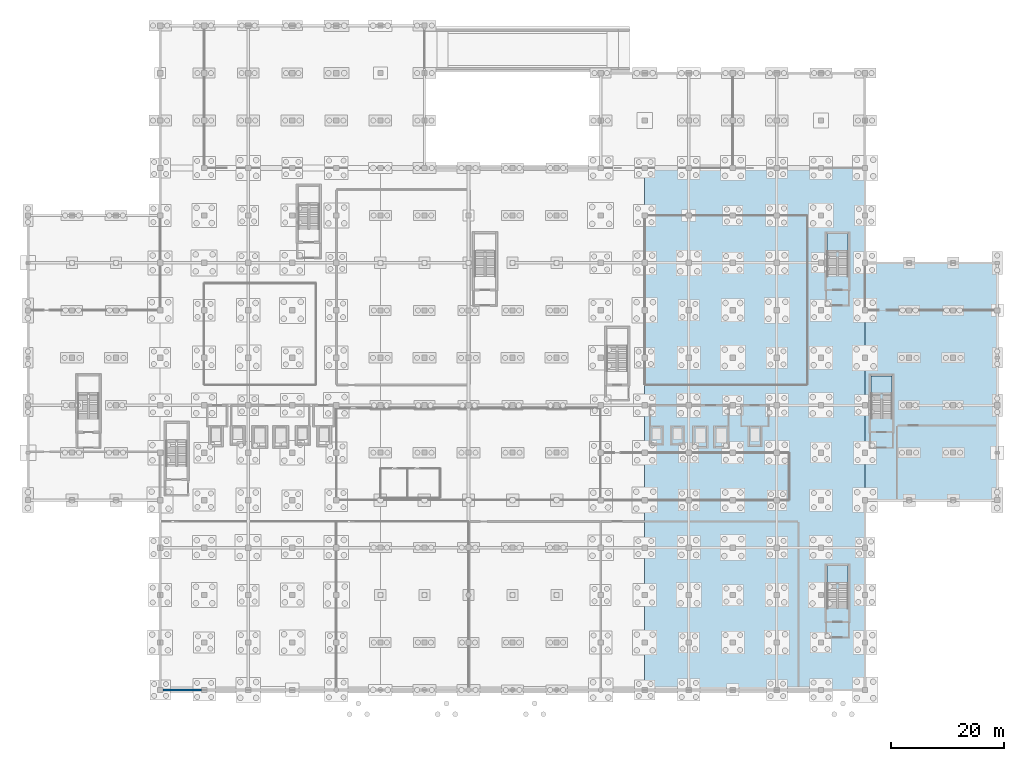
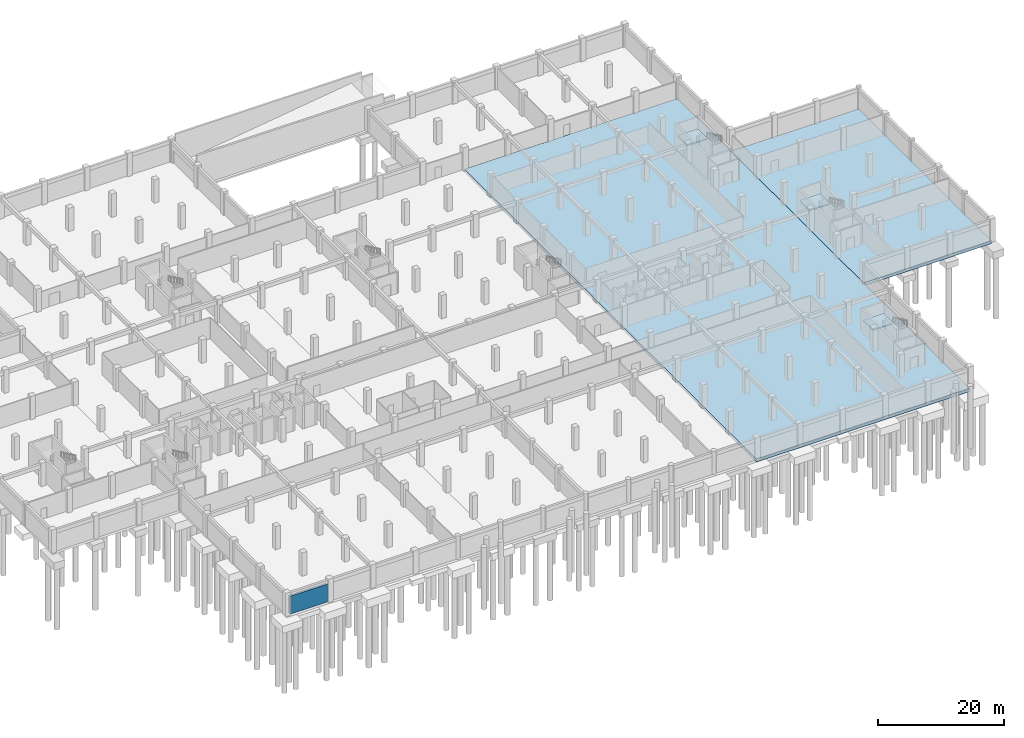
# One storey, part 12 of 30: 5 slabs, 1 wall, 3 elements without a shape of their own.
"""IFC4 building model written with IfcOpenShell, lengths in metres."""

import ifcopenshell
import ifcopenshell.guid

model = None  # the IFC model being written
_history = None  # IfcOwnerHistory: only IFC2X3 demands one
_inside = {}  # id of a spatial element -> (the spatial element, [elements in it])
_under = {}  # id of a project, library or spatial element -> (it, [spatial elements below it])
_declared = {}  # id of a project -> (the project, [libraries it declares])
_typed = {}  # id of a type object -> (the type object, [elements of that type])
_made_of = {}  # id of a material, layer set ... -> (it, [elements and type objects made of it])


def new_model(schema):
    """Start an empty IFC model of exactly this schema.

    Asked for "IFC4X3", IfcOpenShell would pick the latest addendum, in which some entities
    have other attributes; the version numbers below select the first issue.
    IFC2X3 requires an IfcOwnerHistory on every rooted entity: one is made here for all.
    """
    global model, _history
    if schema == "IFC4X3":
        model = ifcopenshell.file(schema_version=(4, 3, 0, 0))
    else:
        model = ifcopenshell.file(schema=schema)
    _inside.clear()
    _under.clear()
    _declared.clear()
    _typed.clear()
    _made_of.clear()
    _history = None
    if model.schema == "IFC2X3":
        org = make("IfcOrganization", Name="unknown")
        user = make(
            "IfcPersonAndOrganization",
            ThePerson=make("IfcPerson", FamilyName="unknown"),
            TheOrganization=org,
        )
        app = make(
            "IfcApplication",
            ApplicationDeveloper=org,
            Version="unknown",
            ApplicationFullName="unknown",
            ApplicationIdentifier="unknown",
        )
        _history = make(
            "IfcOwnerHistory",
            OwningUser=user,
            OwningApplication=app,
            ChangeAction="ADDED",
            CreationDate=0,
        )
    return model


def make(cls, **values):
    """One entity of the class cls with the attributes given. An attribute that is None is left unset."""
    return model.create_entity(
        cls, **{name: value for name, value in values.items() if value is not None}
    )


def rooted(cls, **values):
    """An entity with a GlobalId (a new one), such as an element, a storey or a relation."""
    return make(cls, GlobalId=ifcopenshell.guid.new(), OwnerHistory=_history, **values)


def si_unit(unit_type, name, prefix=None):
    """IfcSIUnit, for example si_unit("LENGTHUNIT", "METRE", prefix="MILLI")."""
    return make("IfcSIUnit", UnitType=unit_type, Prefix=prefix, Name=name)


def assignment(units):
    """IfcUnitAssignment: the units of a project."""
    return None if units is None else make("IfcUnitAssignment", Units=units)


def point(xyz):
    """IfcCartesianPoint."""
    return None if xyz is None else make("IfcCartesianPoint", Coordinates=xyz)


def direction(xyz):
    """IfcDirection."""
    return None if xyz is None else make("IfcDirection", DirectionRatios=xyz)


def frame(location, z_axis=None, x_axis=None):
    """IfcAxis2Placement3D, a coordinate frame: its origin and axes. An axis left out is left unset."""
    return make(
        "IfcAxis2Placement3D",
        Location=point(location),
        Axis=direction(z_axis),
        RefDirection=direction(x_axis),
    )


def frame_2d(location, x_axis=None):
    """IfcAxis2Placement2D, a coordinate frame in the plane: its origin and x axis."""
    return make(
        "IfcAxis2Placement2D", Location=point(location), RefDirection=direction(x_axis)
    )


def origin():
    """The frame at (0, 0, 0) with its axes left unset."""
    return frame((0.0, 0.0, 0.0))


def place(relative_to, where):
    """IfcLocalPlacement: puts the frame where relative to a parent placement (None: the world)."""
    return make(
        "IfcLocalPlacement", PlacementRelTo=relative_to, RelativePlacement=where
    )


def context(
    kind, dimensions, precision=None, world=None, true_north=None, identifier=None
):
    """IfcGeometricRepresentationContext, for example the 3D "Model" context."""
    return make(
        "IfcGeometricRepresentationContext",
        ContextIdentifier=identifier,
        ContextType=kind,
        CoordinateSpaceDimension=dimensions,
        Precision=precision,
        WorldCoordinateSystem=world,
        TrueNorth=true_north,
    )


def subcontext(parent, identifier, kind, view, scale=None):
    """IfcGeometricRepresentationSubContext, for example "Body" below "Model"."""
    return make(
        "IfcGeometricRepresentationSubContext",
        ContextIdentifier=identifier,
        ContextType=kind,
        ParentContext=parent,
        TargetScale=scale,
        TargetView=view,
    )


def project(units=None, contexts=None):
    """IfcProject with its units and contexts."""
    return rooted(
        "IfcProject",
        Name="project",
        RepresentationContexts=contexts,
        UnitsInContext=assignment(units),
    )


def spatial(cls, under=None, at=None, **own):
    """A site, building, storey or space (cls), placed at a placement, below another one or the project."""
    s = rooted(cls, ObjectPlacement=at, **own)
    if under is not None:
        _under.setdefault(under.id(), (under, []))[1].append(s)
    return s


def polyline(points):
    """IfcPolyline through the points."""
    return make("IfcPolyline", Points=[point(p) for p in points])


def profile(cls, at=None, kind="AREA", **sizes):
    """A parametric profile (cls). Its sizes go by their IFC names, for example OverallWidth=200.0."""
    return make(cls, ProfileType=kind, Position=at, **sizes)


def rectangle(**sizes):
    """IfcRectangleProfileDef."""
    return profile("IfcRectangleProfileDef", **sizes)


def outline(outer, holes=None, kind="AREA"):
    """IfcArbitraryClosedProfileDef: a profile drawn as a closed curve; with holes, ...WithVoids."""
    if holes is None:
        return make("IfcArbitraryClosedProfileDef", ProfileType=kind, OuterCurve=outer)
    return make(
        "IfcArbitraryProfileDefWithVoids",
        ProfileType=kind,
        OuterCurve=outer,
        InnerCurves=holes,
    )


def extrude(swept, where, along, depth):
    """IfcExtrudedAreaSolid: the profile swept, set in the frame where, extruded along a direction by depth."""
    return make(
        "IfcExtrudedAreaSolid",
        SweptArea=swept,
        Position=where,
        ExtrudedDirection=direction(along),
        Depth=depth,
    )


def shape(context_of_items, identifier, shape_type, items):
    """IfcShapeRepresentation: the items that make up one representation, for example the "Body"."""
    return make(
        "IfcShapeRepresentation",
        ContextOfItems=context_of_items,
        RepresentationIdentifier=identifier,
        RepresentationType=shape_type,
        Items=items,
    )


def material(Name=None, Category=None):
    """IfcMaterial."""
    return make("IfcMaterial", Name=Name, Category=Category)


def layer(
    of_material, thickness, ventilated=None, Name=None, Category=None, Priority=None
):
    """IfcMaterialLayer: one layer of a wall or slab, of a material (None: an air gap)."""
    return make(
        "IfcMaterialLayer",
        Material=of_material,
        LayerThickness=thickness,
        IsVentilated=ventilated,
        Name=Name,
        Category=Category,
        Priority=Priority,
    )


def layer_set(layers, Name=None):
    """IfcMaterialLayerSet."""
    return make("IfcMaterialLayerSet", MaterialLayers=layers, LayerSetName=Name)


def made_of(thing, what):
    """Note that an element or type object is made of a material, layer set ...; save() writes the relation."""
    if what is not None:
        _made_of.setdefault(what.id(), (what, []))[1].append(thing)
    return thing


def type_object(cls, material=None, **own):
    """A type object (cls), such as IfcWallType, which elements share."""
    return made_of(rooted(cls, **own), material)


def element(
    cls,
    number,
    at=None,
    inside=None,
    cuts=None,
    type_object=None,
    material=None,
    context=None,
    identifier="Body",
    shape_type=None,
    held_by="IfcProductDefinitionShape",
    body=None,
    shapes=None,
    **own,
):
    """One element of the class cls, such as IfcWall. Its Tag is "e" and its number.

    at: its placement. inside: the storey or other place that contains it. cuts: it is an
    opening in that element (IfcRelVoidsElement). A single representation is given by context,
    identifier, shape_type and body (its items); several are given by shapes. held_by: the class
    of the entity that holds the representations. save() writes the other relations.
    """
    e = rooted(cls, Tag="e%d" % number, ObjectPlacement=at, **own)
    if body is not None:
        shapes = [shape(context, identifier, shape_type, body)]
    if shapes is not None:
        e.Representation = make(held_by, Representations=shapes)
    if inside is not None:
        _inside.setdefault(inside.id(), (inside, []))[1].append(e)
    if cuts is not None:
        rooted(
            "IfcRelVoidsElement", RelatingBuildingElement=cuts, RelatedOpeningElement=e
        )
    if type_object is not None:
        _typed.setdefault(type_object.id(), (type_object, []))[1].append(e)
    return made_of(e, material)


def aggregate(whole, parts):
    """IfcRelAggregates: a whole, such as a stair, and the parts it consists of."""
    return rooted("IfcRelAggregates", RelatingObject=whole, RelatedObjects=parts)


def save(model, path):
    """Write the relations noted so far, then the file.

    IfcRelAggregates (storeys below a building ...), IfcRelContainedInSpatialStructure (elements
    in a storey), IfcRelDefinesByType, IfcRelAssociatesMaterial and IfcRelDeclares: one each for
    every whole, place, type object, material and project.
    """
    for whole, parts in _under.values():
        aggregate(whole, parts)
    for where, things in _inside.values():
        rooted(
            "IfcRelContainedInSpatialStructure",
            RelatedElements=things,
            RelatingStructure=where,
        )
    for kind, things in _typed.values():
        rooted("IfcRelDefinesByType", RelatedObjects=things, RelatingType=kind)
    for what, things in _made_of.values():
        rooted("IfcRelAssociatesMaterial", RelatedObjects=things, RelatingMaterial=what)
    for by, libraries in _declared.values():
        rooted("IfcRelDeclares", RelatingContext=by, RelatedDefinitions=libraries)
    model.write(path)


model = new_model("IFC4")

# Units and contexts
model_context = context("Model", 3, precision=1e-05, world=origin(), true_north=direction((0.0, 1.0)))
body_context = subcontext(model_context, "Body", "Model", "MODEL_VIEW")
ifc_project = project(units=[si_unit("LENGTHUNIT", "METRE"), si_unit("AREAUNIT", "SQUARE_METRE"), si_unit("VOLUMEUNIT", "CUBIC_METRE"), si_unit("PLANEANGLEUNIT", "RADIAN"), si_unit("MASSUNIT", "GRAM", prefix="KILO"), si_unit("THERMODYNAMICTEMPERATUREUNIT", "KELVIN"), si_unit("POWERUNIT", "WATT")], contexts=[model_context])

# Site, building, storey
site_placement = place(None, origin())
site = spatial("IfcSite", under=ifc_project, at=site_placement, CompositionType="ELEMENT")
building_placement = place(site_placement, origin())
building = spatial("IfcBuilding", under=site, at=building_placement, Name="Srebrne Nadtorze General Hospital", CompositionType="ELEMENT")
storey_placement = place(building_placement, frame((0.0, 0.0, -4.5)))
storey = spatial("IfcBuildingStorey", under=building, at=storey_placement, Name="B1", CompositionType="ELEMENT", Elevation=-4.5)

# Slabs
ifc_material_1 = material(Name="Concrete C35/45", Category="concrete")
ifc_layer_1 = layer(ifc_material_1, 0.60009765625)
ifc_layer_set_1 = layer_set([ifc_layer_1], Name="Concrete C35/45")
slab_type_1 = type_object("IfcSlabType", Name="Basement base slab 600", PredefinedType="BASESLAB", material=ifc_layer_set_1)
slab_1_placement = place(storey_placement, frame((0.0, 0.0, -0.60009765625)))
element("IfcSlab", 1, at=slab_1_placement, inside=storey, type_object=slab_type_1, Name="Basement base slab SL-B1-03", PredefinedType="BASESLAB", context=body_context, shape_type="SweptSolid", body=[
    extrude(outline(polyline([(109.199951171875, 0.0), (148.199951171875, 0.0), (148.199951171875, 92.39990234375), (109.199951171875, 92.39990234375), (109.199951171875, 0.0)])), origin(), (0.0, 0.0, 1.0), 0.60009765625),
])
slab_2_placement = place(storey_placement, frame((0.0, 0.0, -0.60009765625)))
element("IfcSlab", 2, at=slab_2_placement, inside=storey, type_object=slab_type_1, Name="Basement base slab SL-B1-07", PredefinedType="BASESLAB", context=body_context, shape_type="SweptSolid", body=[
    extrude(outline(polyline([(148.199951171875, 33.60009765625), (171.60009765625, 33.60009765625), (171.60009765625, 75.60009765625), (148.199951171875, 75.60009765625), (148.199951171875, 33.60009765625)])), origin(), (0.0, 0.0, 1.0), 0.60009765625),
])

# Stair, slab
ifc_material_2 = material(Name="Concrete C35/45", Category="concrete")
stair_type = type_object("IfcStairType", Name="Dog-leg escape stair 450", PredefinedType="HALF_TURN_STAIR", material=ifc_material_2)
stair_1_placement = place(storey_placement, origin())
stair_1 = element("IfcStair", 3, at=stair_1_placement, inside=storey, type_object=stair_type, Name="Escape stair ST-04-B1", PredefinedType="HALF_TURN_STAIR")
ifc_material_3 = material(Name="Concrete C35/45", Category="concrete")
ifc_layer_2 = layer(ifc_material_3, 0.219970703125)
ifc_layer_set_2 = layer_set([ifc_layer_2], Name="Concrete C35/45")
slab_type_2 = type_object("IfcSlabType", Name="Stair landing slab 220", PredefinedType="LANDING", material=ifc_layer_set_2)
slab_3_placement = place(storey_placement, frame((0.0, 0.0, 2.030029296875)))
slab_3 = element("IfcSlab", 4, at=slab_3_placement, type_object=slab_type_2, Name="ST-04 landing 1", PredefinedType="LANDING", context=body_context, shape_type="SweptSolid", body=[
    extrude(outline(polyline([(141.449951171875, 77.679931640625), (145.199951171875, 77.679931640625), (145.199951171875, 80.800048828125), (141.449951171875, 80.800048828125), (141.449951171875, 77.679931640625)])), origin(), (0.0, 0.0, 1.0), 0.219970703125),
])
aggregate(stair_1, [slab_3])

stair_2_placement = place(storey_placement, origin())
stair_2 = element("IfcStair", 5, at=stair_2_placement, inside=storey, type_object=stair_type, Name="Escape stair ST-06-B1", PredefinedType="HALF_TURN_STAIR")
slab_4_placement = place(storey_placement, frame((0.0, 0.0, 2.030029296875)))
slab_4 = element("IfcSlab", 6, at=slab_4_placement, type_object=slab_type_2, Name="ST-06 landing 1", PredefinedType="LANDING", context=body_context, shape_type="SweptSolid", body=[
    extrude(outline(polyline([(149.25, 52.47998046875), (153.0, 52.47998046875), (153.0, 55.60009765625), (149.25, 55.60009765625), (149.25, 52.47998046875)])), origin(), (0.0, 0.0, 1.0), 0.219970703125),
])
aggregate(stair_2, [slab_4])

stair_3_placement = place(storey_placement, origin())
stair_3 = element("IfcStair", 7, at=stair_3_placement, inside=storey, type_object=stair_type, Name="Escape stair ST-08-B1", PredefinedType="HALF_TURN_STAIR")
slab_5_placement = place(storey_placement, frame((0.0, 0.0, 2.030029296875)))
slab_5 = element("IfcSlab", 8, at=slab_5_placement, type_object=slab_type_2, Name="ST-08 landing 1", PredefinedType="LANDING", context=body_context, shape_type="SweptSolid", body=[
    extrude(outline(polyline([(141.449951171875, 18.8798828125), (145.199951171875, 18.8798828125), (145.199951171875, 22.0), (141.449951171875, 22.0), (141.449951171875, 18.8798828125)])), origin(), (0.0, 0.0, 1.0), 0.219970703125),
])
aggregate(stair_3, [slab_5])

# Wall
ifc_material_4 = material(Name="Concrete C35/45", Category="concrete")
ifc_layer_3 = layer(ifc_material_4, 0.39990234375)
ifc_layer_set_3 = layer_set([ifc_layer_3], Name="Concrete C35/45")
wall_type = type_object("IfcWallType", Name="Basement retaining wall 400", PredefinedType="SOLIDWALL", material=ifc_layer_set_3)
wall_placement = place(storey_placement, frame((23.875, 0.0, 0.0), z_axis=(0.0, 0.0, 1.0), x_axis=(1.0, 0.0, 0.0)))
element("IfcWall", 9, at=wall_placement, inside=storey, type_object=wall_type, Name="Exterior wall WL-ENV-B1-0001", PredefinedType="SOLIDWALL", context=body_context, shape_type="SweptSolid", body=[
    extrude(rectangle(XDim=6.85009765625, YDim=0.39990234375, at=frame_2d((3.425048828125, 0.0))), origin(), (0.0, 0.0, 1.0), 3.449951171875),
])

save(model, "model.ifc")
